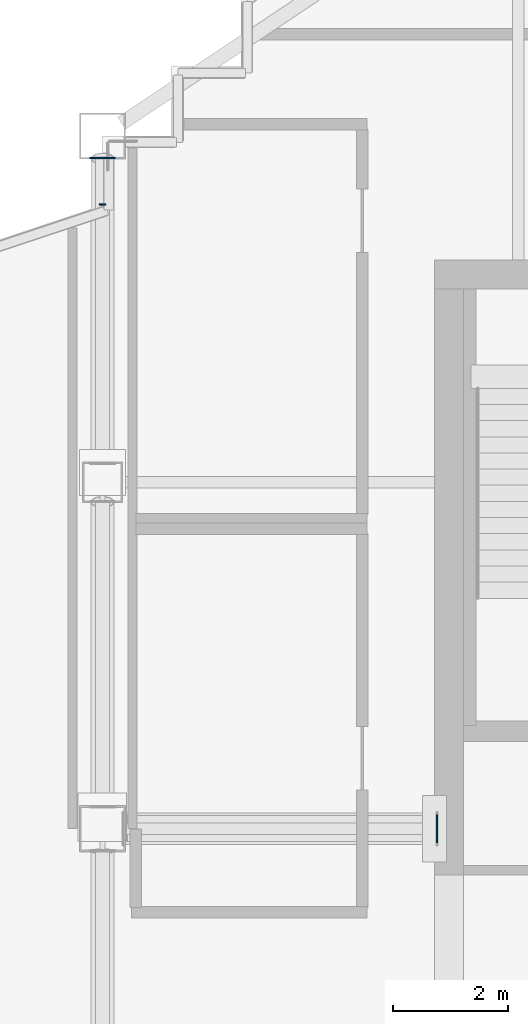
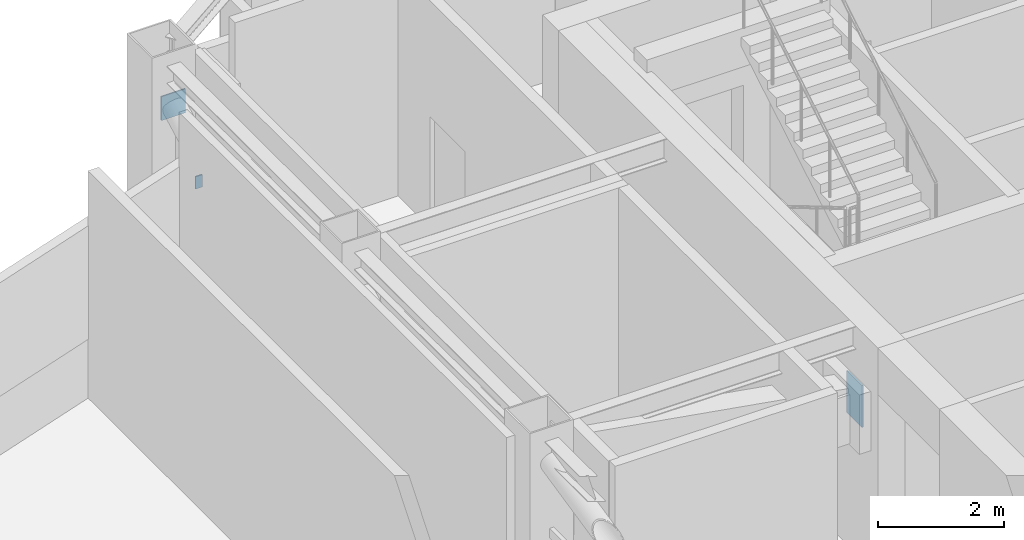
# One storey, part 7 of 15: 3 plates.
"""IFC4 building model written with IfcOpenShell, lengths in metres."""

from ifc_helpers import new_model, si_unit, direction, frame, origin, origin_2d, place, context, subcontext, project, spatial, rectangle, extrude, material, layer, layer_set, type_object, element, save


model = new_model("IFC4")

# Units and contexts
model_context = context("Model", 3, precision=1e-05, world=origin(), true_north=direction((0.0, 1.0)))
body_context = subcontext(model_context, "Body", "Model", "MODEL_VIEW")
ifc_project = project(units=[si_unit("LENGTHUNIT", "METRE"), si_unit("AREAUNIT", "SQUARE_METRE"), si_unit("VOLUMEUNIT", "CUBIC_METRE"), si_unit("PLANEANGLEUNIT", "RADIAN"), si_unit("MASSUNIT", "GRAM", prefix="KILO")], contexts=[model_context])

# Site, building, storey
site_placement = place(None, origin())
site = spatial("IfcSite", under=ifc_project, at=site_placement, CompositionType="ELEMENT")
building_placement = place(site_placement, origin())
building = spatial("IfcBuilding", under=site, at=building_placement, Name="Haolan Belvedere Tower", CompositionType="ELEMENT")
storey_placement = place(building_placement, frame((0.0, 0.0, 277.550048828125)))
storey = spatial("IfcBuildingStorey", under=building, at=storey_placement, Name="L70", CompositionType="ELEMENT", Elevation=277.550048828125)

# Plates
ifc_material = material(Name="Steel Q355B", Category="steel")
ifc_layer = layer(ifc_material, 0.02490234375, Name="Steel Q355B")
ifc_layer_set = layer_set([ifc_layer], Name="Steel Q355B")
plate_type = type_object("IfcPlateType", Name="PL-CAP-25", PredefinedType="SHEET", material=ifc_layer_set)
plate_1_placement = place(storey_placement, frame((29.792236328125, 33.60009765625, 2.512939453125), z_axis=(0.0, 0.0, 1.0), x_axis=(0.0, 1.0, 0.0)))
element("IfcPlate", 1, at=plate_1_placement, inside=storey, type_object=plate_type, Name="Hollow steel end-cap plate OR-W1-L70-DG-CAP0", PredefinedType="SHEET", context=body_context, shape_type="SweptSolid", body=[
    extrude(rectangle(XDim=0.489990234375, YDim=0.02490234375, at=origin_2d()), origin(), (0.0, 0.0, 1.0), 0.81005859375),
])
plate_2_placement = place(storey_placement, frame((24.0, 45.220947265625, 3.37255859375), z_axis=(0.0, 0.0, 1.0), x_axis=(-1.0, 0.0, 0.0)))
element("IfcPlate", 2, at=plate_2_placement, inside=storey, type_object=plate_type, Name="Hollow steel end-cap plate BT-W4-L70-CAP1", PredefinedType="SHEET", context=body_context, shape_type="SweptSolid", body=[
    extrude(rectangle(XDim=0.446044921875, YDim=0.02490234375, at=origin_2d()), origin(), (0.0, 0.0, 1.0), 0.466064453125),
])
plate_3_placement = place(storey_placement, frame((24.0, 44.41259765625, 2.47998046875), z_axis=(0.0, 0.0, 1.0), x_axis=(-1.0, 0.0, 0.0)))
element("IfcPlate", 3, at=plate_3_placement, inside=storey, type_object=plate_type, Name="Hollow steel end-cap plate GIRT-L70-GW-CAP1", PredefinedType="SHEET", context=body_context, shape_type="SweptSolid", body=[
    extrude(rectangle(XDim=0.1201171875, YDim=0.02490234375, at=origin_2d()), origin(), (0.0, 0.0, 1.0), 0.239990234375),
])

save(model, "model.ifc")
